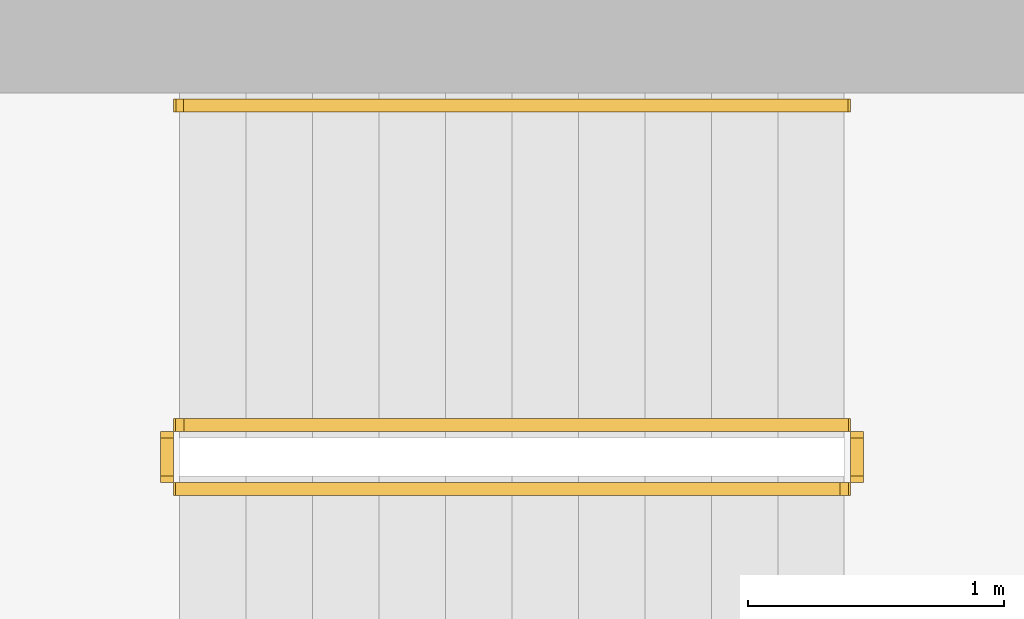
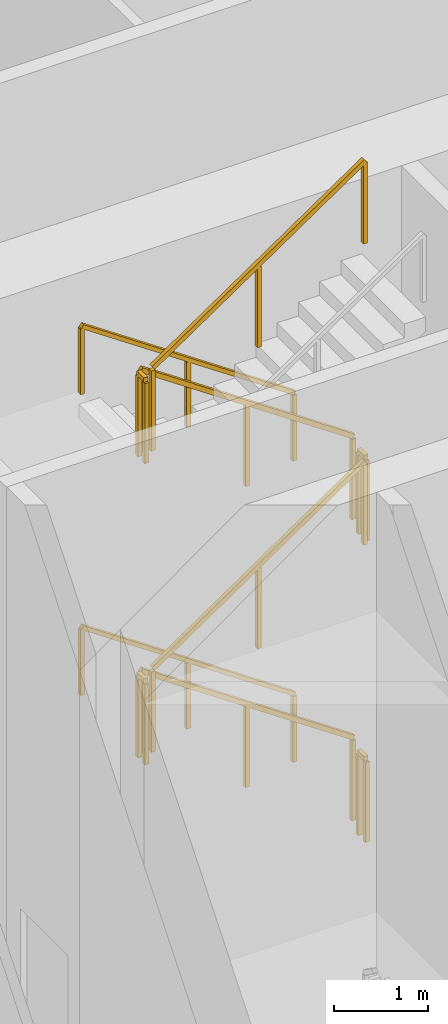
# One storey, part 16 of 17: 10 railings.
"""IFC4 building model written with IfcOpenShell, lengths in metres."""

from ifc_helpers import new_model, si_unit, direction, frame, origin, origin_2d, place, context, subcontext, project, spatial, rectangle, extrude, material, type_object, element, save


model = new_model("IFC4")

# Units and contexts
model_context = context("Model", 3, precision=1e-05, world=origin(), true_north=direction((0.0, 1.0)))
body_context = subcontext(model_context, "Body", "Model", "MODEL_VIEW")
ifc_project = project(units=[si_unit("LENGTHUNIT", "METRE"), si_unit("AREAUNIT", "SQUARE_METRE"), si_unit("VOLUMEUNIT", "CUBIC_METRE"), si_unit("PLANEANGLEUNIT", "RADIAN"), si_unit("MASSUNIT", "GRAM", prefix="KILO")], contexts=[model_context])

# Site, building, storey
site_placement = place(None, origin())
site = spatial("IfcSite", under=ifc_project, at=site_placement, CompositionType="ELEMENT")
building_placement = place(site_placement, origin())
building = spatial("IfcBuilding", under=site, at=building_placement, Name="Khepri Terraces", CompositionType="ELEMENT")
storey_placement = place(building_placement, frame((0.0, 0.0, 180.60009765625)))
storey = spatial("IfcBuildingStorey", under=building, at=storey_placement, Name="L43", CompositionType="ELEMENT", Elevation=180.60009765625)

# Railings
ifc_material = material(Name="Stainless steel 316", Category="steel")
railing_type_1 = type_object("IfcRailingType", Name="RL-CORE-GUARD", PredefinedType="GUARDRAIL", material=ifc_material)
railing_1_placement = place(storey_placement, frame((-0.25, 8.800048828125, 0.17724609375)))
element("IfcRailing", 1, at=railing_1_placement, inside=storey, type_object=railing_type_1, Name="L43 ST-3 stair guard 1", PredefinedType="GUARDRAIL", context=body_context, shape_type="SweptSolid", body=[
    extrude(rectangle(XDim=0.050048828125, YDim=0.06005859375, at=origin_2d()), frame((0.0, 0.0, 1.070068359375), z_axis=(-0.826240473404, 0.0, 0.563317565952), x_axis=(0.0, -1.0, 0.0)), (0.0, 0.0, 1.0), 3.14697265625),
    extrude(rectangle(XDim=0.050048828125, YDim=0.050048828125, at=origin_2d()), origin(), (0.0, 0.0, 1.0), 1.0400390625),
    extrude(rectangle(XDim=0.050048828125, YDim=0.050048828125, at=origin_2d()), frame((-1.300048828125, 0.0, 0.88623046875)), (0.0, 0.0, 1.0), 1.0400390625),
    extrude(rectangle(XDim=0.050048828125, YDim=0.050048828125, at=origin_2d()), frame((-2.60009765625, 0.0, 1.772705078125)), (0.0, 0.0, 1.0), 1.0400390625),
])
railing_2_placement = place(storey_placement, frame((-2.89990234375, 8.75, 1.949951171875)))
element("IfcRailing", 2, at=railing_2_placement, inside=storey, type_object=railing_type_1, Name="L43 ST-3 stair guard 2", PredefinedType="GUARDRAIL", context=body_context, shape_type="SweptSolid", body=[
    extrude(rectangle(XDim=0.050048828125, YDim=0.06005859375, at=origin_2d()), frame((0.0, 0.0, 1.070068359375), z_axis=(0.0, -1.0, 0.0), x_axis=(1.0, 0.0, 0.0)), (0.0, 0.0, 1.0), 0.14990234375),
    extrude(rectangle(XDim=0.050048828125, YDim=0.050048828125, at=origin_2d()), origin(), (0.0, 0.0, 1.0), 1.0400390625),
    extrude(rectangle(XDim=0.050048828125, YDim=0.050048828125, at=origin_2d()), frame((0.0, -0.14990234375, 0.0)), (0.0, 0.0, 1.0), 1.0400390625),
])
railing_3_placement = place(storey_placement, frame((-2.85009765625, 8.550048828125, 2.127197265625)))
element("IfcRailing", 3, at=railing_3_placement, inside=storey, type_object=railing_type_1, Name="L43 ST-3 stair guard 3", PredefinedType="GUARDRAIL", context=body_context, shape_type="SweptSolid", body=[
    extrude(rectangle(XDim=0.050048828125, YDim=0.06005859375, at=origin_2d()), frame((0.0, 0.0, 1.070068359375), z_axis=(0.826240473404, 0.0, 0.563317565952), x_axis=(0.0, 1.0, 0.0)), (0.0, 0.0, 1.0), 3.14697265625),
    extrude(rectangle(XDim=0.050048828125, YDim=0.050048828125, at=origin_2d()), origin(), (0.0, 0.0, 1.0), 1.0400390625),
    extrude(rectangle(XDim=0.050048828125, YDim=0.050048828125, at=origin_2d()), frame((1.300048828125, 0.0, 0.88623046875)), (0.0, 0.0, 1.0), 1.0400390625),
    extrude(rectangle(XDim=0.050048828125, YDim=0.050048828125, at=origin_2d()), frame((2.60009765625, 0.0, 1.772705078125)), (0.0, 0.0, 1.0), 1.0400390625),
])
railing_4_placement = place(storey_placement, frame((-0.199951171875, 8.75, 3.89990234375)))
element("IfcRailing", 4, at=railing_4_placement, inside=storey, type_object=railing_type_1, Name="L43 ST-3 stair guard 4", PredefinedType="GUARDRAIL", context=body_context, shape_type="SweptSolid", body=[
    extrude(rectangle(XDim=0.050048828125, YDim=0.06005859375, at=origin_2d()), frame((0.0, 0.0, 1.070068359375), z_axis=(0.0, -1.0, 0.0), x_axis=(1.0, 0.0, 0.0)), (0.0, 0.0, 1.0), 0.14990234375),
    extrude(rectangle(XDim=0.050048828125, YDim=0.050048828125, at=origin_2d()), origin(), (0.0, 0.0, 1.0), 1.0400390625),
    extrude(rectangle(XDim=0.050048828125, YDim=0.050048828125, at=origin_2d()), frame((0.0, -0.14990234375, 0.0)), (0.0, 0.0, 1.0), 1.0400390625),
])
railing_5_placement = place(storey_placement, frame((-0.25, 8.800048828125, 4.0771484375)))
element("IfcRailing", 5, at=railing_5_placement, inside=storey, type_object=railing_type_1, Name="L43 ST-3 stair guard 5", PredefinedType="GUARDRAIL", context=body_context, shape_type="SweptSolid", body=[
    extrude(rectangle(XDim=0.050048828125, YDim=0.06005859375, at=origin_2d()), frame((0.0, 0.0, 1.070068359375), z_axis=(-0.826240473404, 0.0, 0.563317565952), x_axis=(0.0, -1.0, 0.0)), (0.0, 0.0, 1.0), 3.14697265625),
    extrude(rectangle(XDim=0.050048828125, YDim=0.050048828125, at=origin_2d()), origin(), (0.0, 0.0, 1.0), 1.0400390625),
    extrude(rectangle(XDim=0.050048828125, YDim=0.050048828125, at=origin_2d()), frame((-1.300048828125, 0.0, 0.88623046875)), (0.0, 0.0, 1.0), 1.0400390625),
    extrude(rectangle(XDim=0.050048828125, YDim=0.050048828125, at=origin_2d()), frame((-2.60009765625, 0.0, 1.772705078125)), (0.0, 0.0, 1.0), 1.0400390625),
])
railing_6_placement = place(storey_placement, frame((-2.89990234375, 8.75, 5.849853515625)))
element("IfcRailing", 6, at=railing_6_placement, inside=storey, type_object=railing_type_1, Name="L43 ST-3 stair guard 6", PredefinedType="GUARDRAIL", context=body_context, shape_type="SweptSolid", body=[
    extrude(rectangle(XDim=0.050048828125, YDim=0.06005859375, at=origin_2d()), frame((0.0, 0.0, 1.070068359375), z_axis=(0.0, -1.0, 0.0), x_axis=(1.0, 0.0, 0.0)), (0.0, 0.0, 1.0), 0.14990234375),
    extrude(rectangle(XDim=0.050048828125, YDim=0.050048828125, at=origin_2d()), origin(), (0.0, 0.0, 1.0), 1.0400390625),
    extrude(rectangle(XDim=0.050048828125, YDim=0.050048828125, at=origin_2d()), frame((0.0, -0.14990234375, 0.0)), (0.0, 0.0, 1.0), 1.0400390625),
])
railing_7_placement = place(storey_placement, frame((-2.85009765625, 8.550048828125, 6.027099609375)))
element("IfcRailing", 7, at=railing_7_placement, inside=storey, type_object=railing_type_1, Name="L43 ST-3 stair guard 7", PredefinedType="GUARDRAIL", context=body_context, shape_type="SweptSolid", body=[
    extrude(rectangle(XDim=0.050048828125, YDim=0.06005859375, at=origin_2d()), frame((0.0, 0.0, 1.070068359375), z_axis=(0.826240473404, 0.0, 0.563317565952), x_axis=(0.0, 1.0, 0.0)), (0.0, 0.0, 1.0), 3.14697265625),
    extrude(rectangle(XDim=0.050048828125, YDim=0.050048828125, at=origin_2d()), origin(), (0.0, 0.0, 1.0), 1.0400390625),
    extrude(rectangle(XDim=0.050048828125, YDim=0.050048828125, at=origin_2d()), frame((1.300048828125, 0.0, 0.88623046875)), (0.0, 0.0, 1.0), 1.0400390625),
    extrude(rectangle(XDim=0.050048828125, YDim=0.050048828125, at=origin_2d()), frame((2.60009765625, 0.0, 1.772705078125)), (0.0, 0.0, 1.0), 1.0400390625),
])
railing_8_placement = place(storey_placement, frame((-0.199951171875, 8.75, 0.0)))
element("IfcRailing", 8, at=railing_8_placement, inside=storey, type_object=railing_type_1, Name="L43 ST-3 stair guard 8", PredefinedType="GUARDRAIL", context=body_context, shape_type="SweptSolid", body=[
    extrude(rectangle(XDim=0.050048828125, YDim=0.06005859375, at=origin_2d()), frame((0.0, 0.0, 1.070068359375), z_axis=(0.0, -1.0, 0.0), x_axis=(1.0, 0.0, 0.0)), (0.0, 0.0, 1.0), 0.14990234375),
    extrude(rectangle(XDim=0.050048828125, YDim=0.050048828125, at=origin_2d()), origin(), (0.0, 0.0, 1.0), 1.0400390625),
    extrude(rectangle(XDim=0.050048828125, YDim=0.050048828125, at=origin_2d()), frame((0.0, -0.14990234375, 0.0)), (0.0, 0.0, 1.0), 1.0400390625),
])
railing_type_2 = type_object("IfcRailingType", Name="RL-CORE-HANDRAIL", PredefinedType="HANDRAIL", material=ifc_material)
for number, where, name in (
    (9, (-0.25, 10.050048828125, 0.17724609375), "L43 ST-3 stair handrail 1"),
    (10, (-0.25, 10.050048828125, 4.0771484375), "L43 ST-3 stair handrail 3"),
):
    element("IfcRailing", number, at=place(storey_placement, frame(where)), inside=storey, type_object=railing_type_2, Name=name, PredefinedType="HANDRAIL", context=body_context, shape_type="SweptSolid", body=[
        extrude(rectangle(XDim=0.050048828125, YDim=0.050048828125, at=origin_2d()), frame((0.0, 0.0, 0.875), z_axis=(-0.826240473404, 0.0, 0.563317565952), x_axis=(0.0, -1.0, 0.0)), (0.0, 0.0, 1.0), 3.14697265625),
        extrude(rectangle(XDim=0.050048828125, YDim=0.050048828125, at=origin_2d()), origin(), (0.0, 0.0, 1.0), 0.849853515625),
        extrude(rectangle(XDim=0.050048828125, YDim=0.050048828125, at=origin_2d()), frame((-1.300048828125, 0.0, 0.88623046875)), (0.0, 0.0, 1.0), 0.849853515625),
        extrude(rectangle(XDim=0.050048828125, YDim=0.050048828125, at=origin_2d()), frame((-2.60009765625, 0.0, 1.772705078125)), (0.0, 0.0, 1.0), 0.849853515625),
    ])

save(model, "model.ifc")
